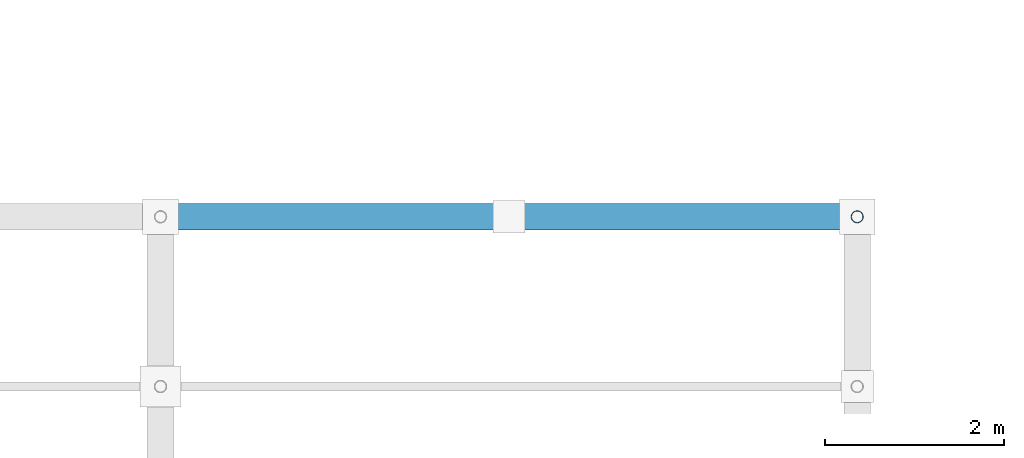
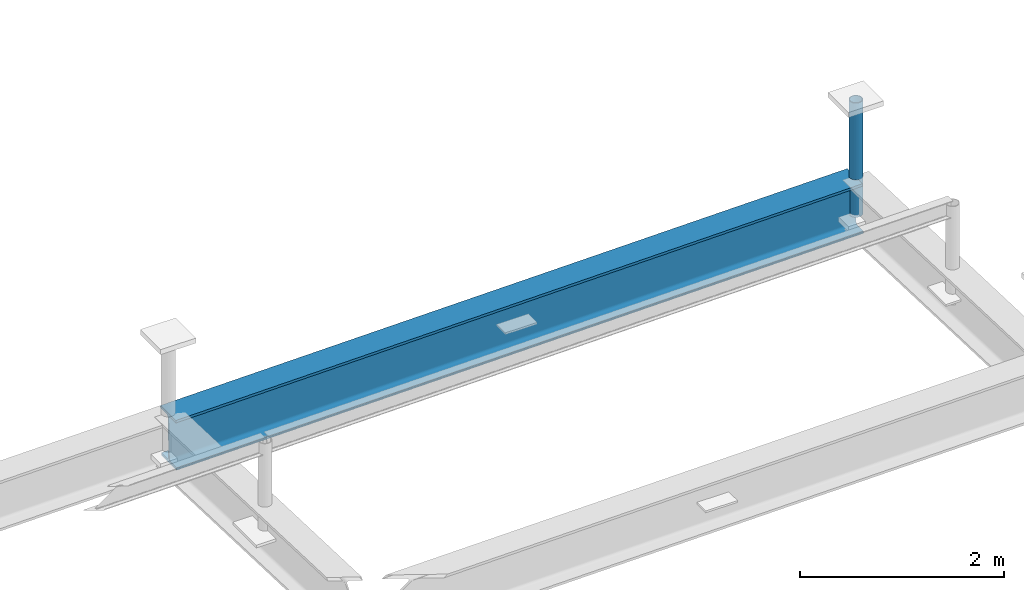
# One storey, part 64 of 80: 1 beam, 1 member.
"""IFC4 building model written with IfcOpenShell, lengths in metres."""

from ifc_helpers import new_model, si_unit, direction, frame, origin, origin_2d, place, context, subcontext, project, spatial, hollow_circle, i_section, extrude, material, material_profile, profile_set, type_object, element, save


model = new_model("IFC4")

# Units and contexts
model_context = context("Model", 3, precision=1e-05, world=origin(), true_north=direction((0.0, 1.0)))
body_context = subcontext(model_context, "Body", "Model", "MODEL_VIEW")
ifc_project = project(units=[si_unit("LENGTHUNIT", "METRE"), si_unit("AREAUNIT", "SQUARE_METRE"), si_unit("VOLUMEUNIT", "CUBIC_METRE"), si_unit("PLANEANGLEUNIT", "RADIAN"), si_unit("MASSUNIT", "GRAM", prefix="KILO")], contexts=[model_context])

# Site, building, storey
site_placement = place(None, origin())
site = spatial("IfcSite", under=ifc_project, at=site_placement, CompositionType="ELEMENT")
building_placement = place(site_placement, origin())
building = spatial("IfcBuilding", under=site, at=building_placement, Name="Barlavento Convention Centre", CompositionType="ELEMENT")
storey_placement = place(building_placement, frame((0.0, 0.0, 29.800048828125)))
storey = spatial("IfcBuildingStorey", under=building, at=storey_placement, Name="RF", CompositionType="ELEMENT", Elevation=29.800048828125)

# Beam
ifc_material = material(Name="Steel S355", Category="steel")
ifc_material_profile_1 = material_profile(ifc_material, i_section(OverallWidth=0.300048828125, OverallDepth=0.60009765625, WebThickness=0.015380859375, FlangeThickness=0.030029296875, FilletRadius=0.027099609375, at=origin_2d()), Name="HEB 600")
ifc_profile_set_1 = profile_set([ifc_material_profile_1], Name="Steel S355")
beam_type = type_object("IfcBeamType", Name="STR-BM-CANT-HEB600", PredefinedType="BEAM", material=ifc_profile_set_1)
beam_placement = place(storey_placement, frame((63.0048828125, 57.800048828125, -4.9130859375), z_axis=(0.999894739787, 0.0, 0.014508940219), x_axis=(0.0, 1.0, 0.0)))
element("IfcBeam", 1, at=beam_placement, inside=storey, type_object=beam_type, Name="Congress roof truss space frame chord", PredefinedType="BEAM", context=body_context, shape_type="SweptSolid", body=[
    extrude(i_section(OverallWidth=0.300048828125, OverallDepth=0.60009765625, WebThickness=0.015380859375, FlangeThickness=0.030029296875, FilletRadius=0.027099609375, at=origin_2d()), origin(), (0.0, 0.0, 1.0), 7.790771484375),
])

# Member
ifc_material_profile_2 = material_profile(ifc_material, hollow_circle(Radius=0.06982421875, WallThickness=0.008056640625, at=origin_2d()), Name="CHS 139.7x8.0")
ifc_profile_set_2 = profile_set([ifc_material_profile_2], Name="Steel S355")
member_type = type_object("IfcMemberType", Name="STR-MEM-DIAG-CHS139", PredefinedType="BRACE", material=ifc_profile_set_2)
member_placement = place(storey_placement, frame((70.800048828125, 57.800048828125, -4.949951171875), z_axis=(0.0, 0.0, 1.0), x_axis=(1.0, 0.0, 0.0)))
element("IfcMember", 2, at=member_placement, inside=storey, type_object=member_type, Name="Congress space frame vertical node post TD04", PredefinedType="BRACE", context=body_context, shape_type="SweptSolid", body=[
    extrude(hollow_circle(Radius=0.06982421875, WallThickness=0.008056640625, at=origin_2d()), origin(), (0.0, 0.0, 1.0), 1.369873046875),
])

save(model, "model.ifc")
